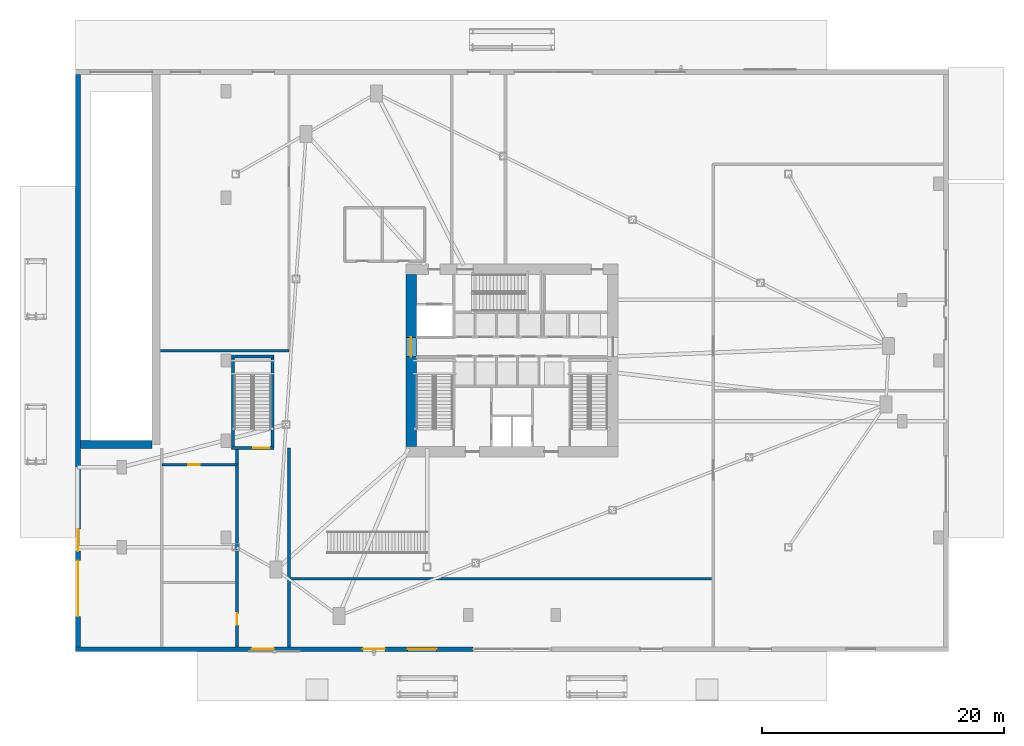
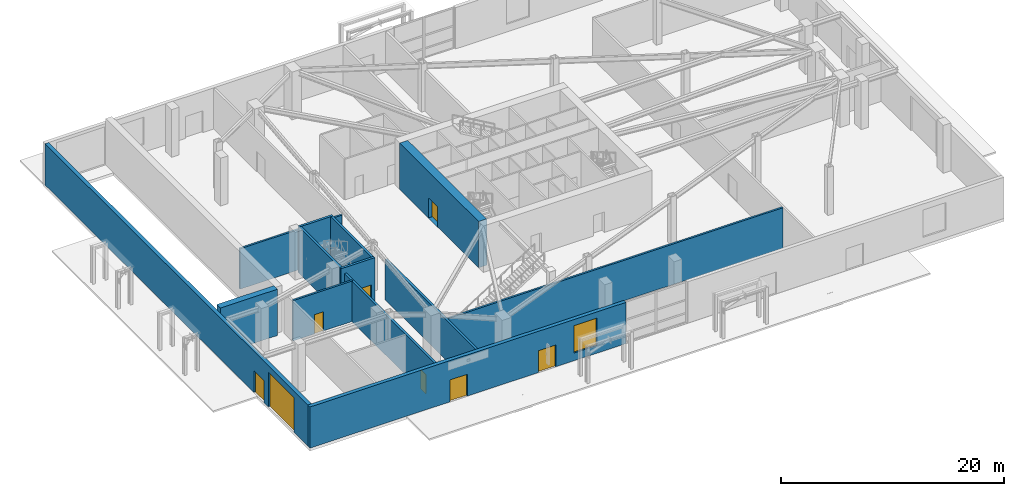
# One storey, part 13 of 22: 13 walls, 8 doors, 1 window, 9 openings.
"""IFC4 building model written with IfcOpenShell, lengths in metres."""

from ifc_helpers import new_model, si_unit, direction, frame, frame_2d, origin, place, context, subcontext, project, spatial, rectangle, extrude, source, transform, mapped, material, layer, layer_set, type_object, type_shapes, element, fill, save


model = new_model("IFC4")

# Units and contexts
model_context = context("Model", 3, precision=1e-05, world=origin(), true_north=direction((0.0, 1.0)))
body_context = subcontext(model_context, "Body", "Model", "MODEL_VIEW")
ifc_project = project(units=[si_unit("LENGTHUNIT", "METRE"), si_unit("AREAUNIT", "SQUARE_METRE"), si_unit("VOLUMEUNIT", "CUBIC_METRE"), si_unit("PLANEANGLEUNIT", "RADIAN"), si_unit("MASSUNIT", "GRAM", prefix="KILO")], contexts=[model_context])

# Site, building, storey
site_placement = place(None, origin())
site = spatial("IfcSite", under=ifc_project, at=site_placement, CompositionType="ELEMENT")
building_placement = place(site_placement, origin())
building = spatial("IfcBuilding", under=site, at=building_placement, Name="Olszyna Solenne Hotel", CompositionType="ELEMENT")
storey_placement = place(building_placement, origin())
storey = spatial("IfcBuildingStorey", under=building, at=storey_placement, Name="L00", CompositionType="ELEMENT", Elevation=0.0)

# Wall, opening, door
ifc_material_1 = material(Name="Concrete C60/75", Category="concrete")
ifc_layer_1 = layer(ifc_material_1, 0.85009765625, Name="Concrete C60/75")
ifc_layer_set_1 = layer_set([ifc_layer_1], Name="Concrete C60/75")
wall_type_1 = type_object("IfcWallType", Name="WL-CR850", PredefinedType="SHEAR", material=ifc_layer_set_1)
wall_1_placement = place(storey_placement, frame((29.675048828125, 19.5, 0.0), z_axis=(0.0, 0.0, 1.0), x_axis=(0.0, 1.0, 0.0)))
wall_1 = element("IfcWall", 1, at=wall_1_placement, inside=storey, type_object=wall_type_1, Name="Core shear wall WL-CR850 CRW-L00-W", PredefinedType="SHEAR", context=body_context, shape_type="SweptSolid", body=[
    extrude(rectangle(XDim=14.199951171875, YDim=0.85009765625, at=frame_2d((7.10009765625, 0.0))), origin(), (0.0, 0.0, 1.0), 5.080078125),
])
opening_1_placement = place(wall_1_placement, frame((7.419921875, 0.0, 0.0)))
opening_1 = element("IfcOpeningElement", 2, at=opening_1_placement, cuts=wall_1, Name="Opening LHD-L00-W", PredefinedType="OPENING", context=body_context, shape_type="SweptSolid", body=[
    extrude(rectangle(XDim=1.60009765625, YDim=2.199951171875, at=frame_2d((0.800048828125, 1.10009765625))), frame((0.0, 0.43505859375, 0.0), z_axis=(0.0, -1.0, 0.0), x_axis=(1.0, 0.0, 0.0)), (0.0, 0.0, 1.0), 0.8701171875),
])
ifc_material_2 = material(Name="Timber hardwood", Category="wood")
door_type_1 = type_object("IfcDoorType", Name="DR-CR1", OperationType="DOUBLE_DOOR_SINGLE_SWING", PredefinedType="DOOR", material=ifc_material_2)
shared_shape_1 = source(origin(), body_context, "Body", "SweptSolid", [
    extrude(rectangle(XDim=1.60009765625, YDim=2.199951171875, at=frame_2d((0.800048828125, 1.10009765625))), frame((0.0, 0.02490234375, 0.0), z_axis=(0.0, -1.0, 0.0), x_axis=(1.0, 0.0, 0.0)), (0.0, 0.0, 1.0), 0.050048828125),
])
type_shapes(door_type_1, [shared_shape_1])
door_1_placement = place(opening_1_placement, origin())
door_1 = element("IfcDoor", 3, at=door_1_placement, inside=storey, type_object=door_type_1, Name="Passenger lift lobby West fire door LHD-L00-W", OperationType="DOUBLE_DOOR_SINGLE_SWING", OverallHeight=2.199951171875, OverallWidth=1.60009765625, PredefinedType="DOOR", context=body_context, shape_type="MappedRepresentation", body=[
    mapped(shared_shape_1, transform((0.0, 0.0, 0.0), x_axis=(1.0, 0.0, 0.0), y_axis=(0.0, 1.0, 0.0), z_axis=(0.0, 0.0, 1.0), scale=1.0)),
])
fill(opening_1, door_1)

# Wall, openings, doors, window
ifc_material_3 = material(Name="Terracotta cladding on precast concrete C45/55", Category="masonry")
ifc_layer_2 = layer(ifc_material_3, 0.3798828125, Name="Terracotta cladding on precast concrete C45/55")
ifc_layer_set_2 = layer_set([ifc_layer_2], Name="Terracotta cladding on precast concrete C45/55")
wall_type_2 = type_object("IfcWallType", Name="WL-EX380", PredefinedType="SOLIDWALL", material=ifc_layer_set_2)
wall_2_placement = place(storey_placement, frame((34.800048828125, 2.7900390625, 0.0), z_axis=(0.0, 0.0, 1.0), x_axis=(-1.0, 0.0, 0.0)))
wall_2 = element("IfcWall", 4, at=wall_2_placement, inside=storey, type_object=wall_type_2, Name="Podium terracotta-precast exterior wall EW-L00-SW", PredefinedType="SOLIDWALL", context=body_context, shape_type="SweptSolid", body=[
    extrude(rectangle(XDim=32.800048828125, YDim=0.3798828125, at=frame_2d((16.39990234375, 0.0))), origin(), (0.0, 0.0, 1.0), 4.52197265625),
])
opening_2_placement = place(wall_2_placement, frame((7.300048828125, 0.0, 0.0)))
opening_2 = element("IfcOpeningElement", 5, at=opening_2_placement, cuts=wall_2, Name="Opening ED-03", PredefinedType="OPENING", context=body_context, shape_type="SweptSolid", body=[
    extrude(rectangle(XDim=1.800048828125, YDim=2.39990234375, at=frame_2d((0.89990234375, 1.199951171875))), frame((0.0, 0.199951171875, 0.0), z_axis=(0.0, -1.0, 0.0), x_axis=(1.0, 0.0, 0.0)), (0.0, 0.0, 1.0), 0.39990234375),
])
opening_3_placement = place(wall_2_placement, frame((16.4599609375, 0.0, 0.0)))
opening_3 = element("IfcOpeningElement", 6, at=opening_3_placement, cuts=wall_2, Name="Opening ED-04", PredefinedType="OPENING", context=body_context, shape_type="SweptSolid", body=[
    extrude(rectangle(XDim=1.800048828125, YDim=2.39990234375, at=frame_2d((0.89990234375, 1.199951171875))), frame((0.0, 0.199951171875, 0.0), z_axis=(0.0, -1.0, 0.0), x_axis=(1.0, 0.0, 0.0)), (0.0, 0.0, 1.0), 0.39990234375),
])
opening_4_placement = place(wall_2_placement, frame((3.01611328125, 0.0, 0.85009765625)))
opening_4 = element("IfcOpeningElement", 7, at=opening_4_placement, cuts=wall_2, Name="Opening WN-L00-002", PredefinedType="OPENING", context=body_context, shape_type="SweptSolid", body=[
    extrude(rectangle(XDim=2.39990234375, YDim=3.0, at=frame_2d((1.199951171875, 1.5))), frame((0.0, 0.199951171875, 0.0), z_axis=(0.0, -1.0, 0.0), x_axis=(1.0, 0.0, 0.0)), (0.0, 0.0, 1.0), 0.39990234375),
])
ifc_material_4 = material(Name="Anodised bronze aluminium", Category="aluminium")
door_type_2 = type_object("IfcDoorType", Name="DR-EX1", OperationType="DOUBLE_DOOR_SINGLE_SWING", PredefinedType="DOOR", material=ifc_material_4)
shared_shape_2 = source(origin(), body_context, "Body", "SweptSolid", [
    extrude(rectangle(XDim=1.800048828125, YDim=2.39990234375, at=frame_2d((0.89990234375, 1.199951171875))), frame((0.0, 0.02490234375, 0.0), z_axis=(0.0, -1.0, 0.0), x_axis=(1.0, 0.0, 0.0)), (0.0, 0.0, 1.0), 0.050048828125),
])
type_shapes(door_type_2, [shared_shape_2])
door_2_placement = place(opening_2_placement, origin())
door_2 = element("IfcDoor", 8, at=door_2_placement, inside=storey, type_object=door_type_2, Name="Pedestrian Exit Door ED-03", OperationType="DOUBLE_DOOR_SINGLE_SWING", OverallHeight=2.39990234375, OverallWidth=1.800048828125, PredefinedType="DOOR", context=body_context, shape_type="MappedRepresentation", body=[
    mapped(shared_shape_2, transform((0.0, 0.0, 0.0), x_axis=(1.0, 0.0, 0.0), y_axis=(0.0, 1.0, 0.0), z_axis=(0.0, 0.0, 1.0), scale=1.0)),
])
fill(opening_2, door_2)
door_3_placement = place(opening_3_placement, origin())
door_3 = element("IfcDoor", 9, at=door_3_placement, inside=storey, type_object=door_type_2, Name="Pedestrian Exit Door ED-04", OperationType="DOUBLE_DOOR_SINGLE_SWING", OverallHeight=2.39990234375, OverallWidth=1.800048828125, PredefinedType="DOOR", context=body_context, shape_type="MappedRepresentation", body=[
    mapped(shared_shape_2, transform((0.0, 0.0, 0.0), x_axis=(1.0, 0.0, 0.0), y_axis=(0.0, 1.0, 0.0), z_axis=(0.0, 0.0, 1.0), scale=1.0)),
])
fill(opening_3, door_3)
ifc_material_5 = material(Name="Low-E triple glazing", Category="glass")
window_type = type_object("IfcWindowType", Name="WN-PD1", PartitioningType="SINGLE_PANEL", PredefinedType="WINDOW", material=ifc_material_5)
shared_shape_3 = source(origin(), body_context, "Body", "SweptSolid", [
    extrude(rectangle(XDim=2.39990234375, YDim=3.0, at=frame_2d((1.199951171875, 1.5))), frame((0.0, 0.030029296875, 0.0), z_axis=(0.0, -1.0, 0.0), x_axis=(1.0, 0.0, 0.0)), (0.0, 0.0, 1.0), 0.06005859375),
])
type_shapes(window_type, [shared_shape_3])
window_placement = place(opening_4_placement, origin())
window = element("IfcWindow", 10, at=window_placement, inside=storey, type_object=window_type, Name="Podium triple-glazed window WN-PD1 WN-L00-002", OverallHeight=3.0, OverallWidth=2.39990234375, PartitioningType="SINGLE_PANEL", PredefinedType="WINDOW", context=body_context, shape_type="MappedRepresentation", body=[
    mapped(shared_shape_3, transform((0.0, 0.0, 0.0), x_axis=(1.0, 0.0, 0.0), y_axis=(0.0, 1.0, 0.0), z_axis=(0.0, 0.0, 1.0), scale=1.0)),
])
fill(opening_4, window)

# Wall, openings, doors
wall_3_placement = place(storey_placement, frame((2.18994140625, 2.97998046875, 0.0), z_axis=(0.0, 0.0, 1.0), x_axis=(0.0, 1.0, 0.0)))
wall_3 = element("IfcWall", 11, at=wall_3_placement, inside=storey, type_object=wall_type_2, Name="Podium terracotta-precast exterior wall EW-L00-W", PredefinedType="SOLIDWALL", context=body_context, shape_type="SweptSolid", body=[
    extrude(rectangle(XDim=47.239990234375, YDim=0.3798828125, at=frame_2d((23.6201171875, 0.0))), origin(), (0.0, 0.0, 1.0), 4.52197265625),
])
opening_5_placement = place(wall_3_placement, frame((7.89990234375, 0.0, 0.0)))
opening_5 = element("IfcOpeningElement", 12, at=opening_5_placement, cuts=wall_3, Name="Opening ED-07", PredefinedType="OPENING", context=body_context, shape_type="SweptSolid", body=[
    extrude(rectangle(XDim=1.800048828125, YDim=2.39990234375, at=frame_2d((0.89990234375, 1.199951171875))), frame((0.0, 0.199951171875, 0.0), z_axis=(0.0, -1.0, 0.0), x_axis=(1.0, 0.0, 0.0)), (0.0, 0.0, 1.0), 0.39990234375),
])
opening_6_placement = place(wall_3_placement, frame((2.5, 0.0, 0.0)))
opening_6 = element("IfcOpeningElement", 13, at=opening_6_placement, cuts=wall_3, Name="Opening SD-03", PredefinedType="OPENING", context=body_context, shape_type="SweptSolid", body=[
    extrude(rectangle(XDim=4.60009765625, YDim=3.800048828125, at=frame_2d((2.300048828125, 1.89990234375))), frame((0.0, 0.199951171875, 0.0), z_axis=(0.0, -1.0, 0.0), x_axis=(1.0, 0.0, 0.0)), (0.0, 0.0, 1.0), 0.39990234375),
])
door_4_placement = place(opening_5_placement, origin())
door_4 = element("IfcDoor", 14, at=door_4_placement, inside=storey, type_object=door_type_2, Name="Pedestrian Exit Door ED-07", OperationType="DOUBLE_DOOR_SINGLE_SWING", OverallHeight=2.39990234375, OverallWidth=1.800048828125, PredefinedType="DOOR", context=body_context, shape_type="MappedRepresentation", body=[
    mapped(shared_shape_2, transform((0.0, 0.0, 0.0), x_axis=(1.0, 0.0, 0.0), y_axis=(0.0, 1.0, 0.0), z_axis=(0.0, 0.0, 1.0), scale=1.0)),
])
fill(opening_5, door_4)
ifc_material_6 = material(Name="Steel S355J2", Category="steel")
door_type_3 = type_object("IfcDoorType", Name="VG-02", OperationType="ROLLINGUP", PredefinedType="GATE", material=ifc_material_6)
shared_shape_4 = source(origin(), body_context, "Body", "SweptSolid", [
    extrude(rectangle(XDim=4.60009765625, YDim=3.800048828125, at=frame_2d((2.300048828125, 1.89990234375))), frame((0.0, 0.02490234375, 0.0), z_axis=(0.0, -1.0, 0.0), x_axis=(1.0, 0.0, 0.0)), (0.0, 0.0, 1.0), 0.050048828125),
])
type_shapes(door_type_3, [shared_shape_4])
door_5_placement = place(opening_6_placement, origin())
door_5 = element("IfcDoor", 15, at=door_5_placement, inside=storey, type_object=door_type_3, Name="Service Delivery Shutter Gate SD-03", OperationType="ROLLINGUP", OverallHeight=3.800048828125, OverallWidth=4.60009765625, PredefinedType="GATE", context=body_context, shape_type="MappedRepresentation", body=[
    mapped(shared_shape_4, transform((0.0, 0.0, 0.0), x_axis=(1.0, 0.0, 0.0), y_axis=(0.0, 1.0, 0.0), z_axis=(0.0, 0.0, 1.0), scale=1.0)),
])
fill(opening_6, door_5)

# Wall, opening, door
ifc_material_7 = material(Name="Acoustic gypsum partition", Category="gypsum")
ifc_layer_3 = layer(ifc_material_7, 0.199951171875, Name="Acoustic gypsum partition")
ifc_layer_set_3 = layer_set([ifc_layer_3], Name="Acoustic gypsum partition")
wall_type_3 = type_object("IfcWallType", Name="WL-PT200", PredefinedType="PARTITIONING", material=ifc_layer_set_3)
wall_4_placement = place(storey_placement, frame((9.10009765625, 18.0, 0.0), z_axis=(0.0, 0.0, 1.0), x_axis=(1.0, 0.0, 0.0)))
wall_4 = element("IfcWall", 16, at=wall_4_placement, inside=storey, type_object=wall_type_3, Name="Interior acoustic partition WL-PT200 PW-L00-0087", PredefinedType="PARTITIONING", context=body_context, shape_type="SweptSolid", body=[
    extrude(rectangle(XDim=6.199951171875, YDim=0.199951171875, at=frame_2d((3.10009765625, 0.0))), origin(), (0.0, 0.0, 1.0), 4.429931640625),
])
opening_7_placement = place(wall_4_placement, frame((2.199951171875, 0.0, 0.0)))
opening_7 = element("IfcOpeningElement", 17, at=opening_7_placement, cuts=wall_4, Name="Opening DR-L00-0016", PredefinedType="OPENING", context=body_context, shape_type="SweptSolid", body=[
    extrude(rectangle(XDim=0.919921875, YDim=2.10009765625, at=frame_2d((0.4599609375, 1.050048828125))), frame((0.0, 0.10986328125, 0.0), z_axis=(0.0, -1.0, 0.0), x_axis=(1.0, 0.0, 0.0)), (0.0, 0.0, 1.0), 0.219970703125),
])
door_type_4 = type_object("IfcDoorType", Name="DR-IN1", OperationType="NOTDEFINED", PredefinedType="DOOR", material=ifc_material_2)
shared_shape_5 = source(origin(), body_context, "Body", "SweptSolid", [
    extrude(rectangle(XDim=0.919921875, YDim=2.10009765625, at=frame_2d((0.4599609375, 1.050048828125))), frame((0.0, 0.02490234375, 0.0), z_axis=(0.0, -1.0, 0.0), x_axis=(1.0, 0.0, 0.0)), (0.0, 0.0, 1.0), 0.050048828125),
])
type_shapes(door_type_4, [shared_shape_5])
door_6_placement = place(opening_7_placement, origin())
door_6 = element("IfcDoor", 18, at=door_6_placement, inside=storey, type_object=door_type_4, Name="Luggage Concierge Room Door DR-L00-0016", OperationType="SINGLE_SWING_LEFT", OverallHeight=2.10009765625, OverallWidth=0.919921875, PredefinedType="DOOR", context=body_context, shape_type="MappedRepresentation", body=[
    mapped(shared_shape_5, transform((0.0, 0.0, 0.0), x_axis=(1.0, 0.0, 0.0), y_axis=(0.0, 1.0, 0.0), z_axis=(0.0, 0.0, 1.0), scale=1.0)),
])
fill(opening_7, door_6)

# Walls
wall_5_placement = place(storey_placement, frame((9.0, 27.39990234375, 0.0), z_axis=(0.0, 0.0, 1.0), x_axis=(1.0, 0.0, 0.0)))
element("IfcWall", 19, at=wall_5_placement, inside=storey, type_object=wall_type_3, Name="Interior acoustic partition WL-PT200 PW-L00-0093", PredefinedType="PARTITIONING", context=body_context, shape_type="SweptSolid", body=[
    extrude(rectangle(XDim=10.60009765625, YDim=0.199951171875, at=frame_2d((5.300048828125, 0.0))), origin(), (0.0, 0.0, 1.0), 4.429931640625),
])
wall_6_placement = place(storey_placement, frame((19.719970703125, 8.60009765625, 0.0), z_axis=(0.0, 0.0, 1.0), x_axis=(1.0, 0.0, 0.0)))
element("IfcWall", 20, at=wall_6_placement, inside=storey, type_object=wall_type_3, Name="Interior acoustic partition WL-PT200 PW-L00-0094", PredefinedType="PARTITIONING", context=body_context, shape_type="SweptSolid", body=[
    extrude(rectangle(XDim=34.760009765625, YDim=0.199951171875, at=frame_2d((17.3798828125, 0.0))), origin(), (0.0, 0.0, 1.0), 4.429931640625),
])

# Wall, opening, door
ifc_layer_4 = layer(ifc_material_7, 0.239990234375, Name="Acoustic gypsum partition")
ifc_layer_set_4 = layer_set([ifc_layer_4], Name="Acoustic gypsum partition")
wall_type_4 = type_object("IfcWallType", Name="WL-PT240", PredefinedType="PARTITIONING", material=ifc_layer_set_4)
wall_7_placement = place(storey_placement, frame((18.360107421875, 19.3798828125, 0.0), z_axis=(0.0, 0.0, 1.0), x_axis=(-1.0, 0.0, 0.0)))
wall_7 = element("IfcWall", 21, at=wall_7_placement, inside=storey, type_object=wall_type_4, Name="Core shaft compartment wall CW-L00-ST4S", PredefinedType="PARTITIONING", context=body_context, shape_type="SweptSolid", body=[
    extrude(rectangle(XDim=3.5, YDim=0.239990234375, at=frame_2d((1.75, 0.0))), origin(), (0.0, 0.0, 1.0), 5.080078125),
])
opening_8_placement = place(wall_7_placement, frame((0.3798828125, 0.0, 0.0)))
opening_8 = element("IfcOpeningElement", 22, at=opening_8_placement, cuts=wall_7, Name="Opening STD-L00-04", PredefinedType="OPENING", context=body_context, shape_type="SweptSolid", body=[
    extrude(rectangle(XDim=1.320068359375, YDim=2.199951171875, at=frame_2d((0.66015625, 1.10009765625))), frame((0.0, 0.1298828125, 0.0), z_axis=(0.0, -1.0, 0.0), x_axis=(1.0, 0.0, 0.0)), (0.0, 0.0, 1.0), 0.260009765625),
])
door_type_5 = type_object("IfcDoorType", Name="DR-ST1", OperationType="NOTDEFINED", PredefinedType="DOOR", material=ifc_material_6)
shared_shape_6 = source(origin(), body_context, "Body", "SweptSolid", [
    extrude(rectangle(XDim=1.320068359375, YDim=2.199951171875, at=frame_2d((0.66015625, 1.10009765625))), frame((0.0, 0.02490234375, 0.0), z_axis=(0.0, -1.0, 0.0), x_axis=(1.0, 0.0, 0.0)), (0.0, 0.0, 1.0), 0.050048828125),
])
type_shapes(door_type_5, [shared_shape_6])
door_7_placement = place(opening_8_placement, origin())
door_7 = element("IfcDoor", 23, at=door_7_placement, inside=storey, type_object=door_type_5, Name="Podium exit stair ST4 fire door STD-L00-04", OperationType="SINGLE_SWING_LEFT", OverallHeight=2.199951171875, OverallWidth=1.320068359375, PredefinedType="DOOR", context=body_context, shape_type="MappedRepresentation", body=[
    mapped(shared_shape_6, transform((0.0, 0.0, 0.0), x_axis=(1.0, 0.0, 0.0), y_axis=(0.0, 1.0, 0.0), z_axis=(0.0, 0.0, 1.0), scale=1.0)),
])
fill(opening_8, door_7)

# Walls
wall_8_placement = place(storey_placement, frame((14.860107421875, 26.919921875, 0.0), z_axis=(0.0, 0.0, 1.0), x_axis=(1.0, 0.0, 0.0)))
element("IfcWall", 24, at=wall_8_placement, inside=storey, type_object=wall_type_4, Name="Core shaft compartment wall CW-L00-ST4N", PredefinedType="PARTITIONING", context=body_context, shape_type="SweptSolid", body=[
    extrude(rectangle(XDim=3.5, YDim=0.239990234375, at=frame_2d((1.75, 0.0))), origin(), (0.0, 0.0, 1.0), 5.080078125),
])
for number, where, z_axis, x_axis, name in (
    (25, (14.97998046875, 19.5, 0.0), (0.0, 0.0, 1.0), (0.0, 1.0, 0.0), "Core shaft compartment wall CW-L00-ST4W"),
    (26, (18.239990234375, 26.800048828125, 0.0), (0.0, 0.0, 1.0), (0.0, -1.0, 0.0), "Core shaft compartment wall CW-L00-ST4E"),
):
    element("IfcWall", number, at=place(storey_placement, frame(where, z_axis=z_axis, x_axis=x_axis)), inside=storey, type_object=wall_type_4, Name=name, PredefinedType="PARTITIONING", context=body_context, shape_type="SweptSolid", body=[
        extrude(rectangle(XDim=7.300048828125, YDim=0.239990234375, at=frame_2d((3.64990234375, 0.0))), origin(), (0.0, 0.0, 1.0), 5.080078125),
    ])

# Wall, opening, door
wall_9_placement = place(storey_placement, frame((15.300048828125, 2.97998046875, 0.0), z_axis=(0.0, 0.0, 1.0), x_axis=(0.0, 1.0, 0.0)))
wall_9 = element("IfcWall", 27, at=wall_9_placement, inside=storey, type_object=wall_type_4, Name="Interior acoustic partition WL-PT240 PW-L00-0088", PredefinedType="PARTITIONING", context=body_context, shape_type="SweptSolid", body=[
    extrude(rectangle(XDim=16.39990234375, YDim=0.239990234375, at=frame_2d((8.199951171875, 0.0))), origin(), (0.0, 0.0, 1.0), 4.429931640625),
])
opening_9_placement = place(wall_9_placement, frame((1.800048828125, 0.0, 0.0)))
opening_9 = element("IfcOpeningElement", 28, at=opening_9_placement, cuts=wall_9, Name="Opening DR-L00-0017", PredefinedType="OPENING", context=body_context, shape_type="SweptSolid", body=[
    extrude(rectangle(XDim=0.949951171875, YDim=2.10009765625, at=frame_2d((0.47509765625, 1.050048828125))), frame((0.0, 0.1298828125, 0.0), z_axis=(0.0, -1.0, 0.0), x_axis=(1.0, 0.0, 0.0)), (0.0, 0.0, 1.0), 0.260009765625),
])
door_type_6 = type_object("IfcDoorType", Name="DR-SV1", OperationType="NOTDEFINED", PredefinedType="DOOR", material=ifc_material_6)
shared_shape_7 = source(origin(), body_context, "Body", "SweptSolid", [
    extrude(rectangle(XDim=0.949951171875, YDim=2.10009765625, at=frame_2d((0.47509765625, 1.050048828125))), frame((0.0, 0.02490234375, 0.0), z_axis=(0.0, -1.0, 0.0), x_axis=(1.0, 0.0, 0.0)), (0.0, 0.0, 1.0), 0.050048828125),
])
type_shapes(door_type_6, [shared_shape_7])
door_8_placement = place(opening_9_placement, origin())
door_8 = element("IfcDoor", 29, at=door_8_placement, inside=storey, type_object=door_type_6, Name="Fire Command Centre Protected Door DR-L00-0017", OperationType="SINGLE_SWING_LEFT", OverallHeight=2.10009765625, OverallWidth=0.949951171875, PredefinedType="DOOR", context=body_context, shape_type="MappedRepresentation", body=[
    mapped(shared_shape_7, transform((0.0, 0.0, 0.0), x_axis=(1.0, 0.0, 0.0), y_axis=(0.0, 1.0, 0.0), z_axis=(0.0, 0.0, 1.0), scale=1.0)),
])
fill(opening_9, door_8)

# Walls
wall_10_placement = place(storey_placement, frame((19.60009765625, 2.97998046875, 0.0), z_axis=(0.0, 0.0, 1.0), x_axis=(0.0, 1.0, 0.0)))
element("IfcWall", 30, at=wall_10_placement, inside=storey, type_object=wall_type_4, Name="Interior acoustic partition WL-PT240 PW-L00-0089", PredefinedType="PARTITIONING", context=body_context, shape_type="SweptSolid", body=[
    extrude(rectangle(XDim=16.39990234375, YDim=0.239990234375, at=frame_2d((8.199951171875, 0.0))), origin(), (0.0, 0.0, 1.0), 4.429931640625),
])
ifc_material_8 = material(Name="Concrete C40/50", Category="concrete")
ifc_layer_5 = layer(ifc_material_8, 0.64990234375, Name="Concrete C40/50")
ifc_layer_set_5 = layer_set([ifc_layer_5], Name="Concrete C40/50")
wall_type_5 = type_object("IfcWallType", Name="WL-RW650", PredefinedType="SOLIDWALL", material=ifc_layer_set_5)
wall_11_placement = place(storey_placement, frame((2.3798828125, 19.675048828125, 0.0), z_axis=(0.0, 0.0, 1.0), x_axis=(1.0, 0.0, 0.0)))
element("IfcWall", 31, at=wall_11_placement, inside=storey, type_object=wall_type_5, Name="Ground-level vehicle ramp South headwall RW-L00-02", PredefinedType="SOLIDWALL", context=body_context, shape_type="SweptSolid", body=[
    extrude(rectangle(XDim=5.920166015625, YDim=0.64990234375, at=frame_2d((2.9599609375, 0.0))), origin(), (0.0, 0.0, 1.0), 5.080078125),
])

save(model, "model.ifc")
